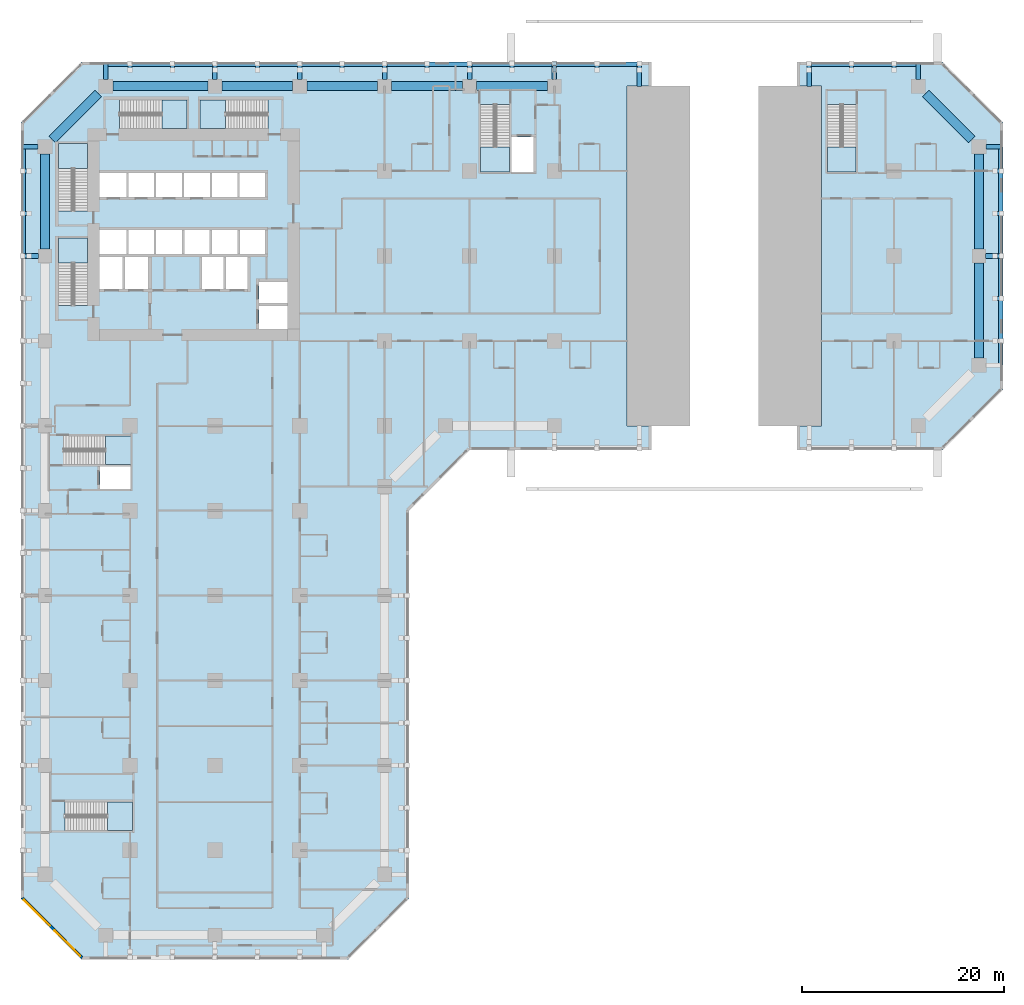
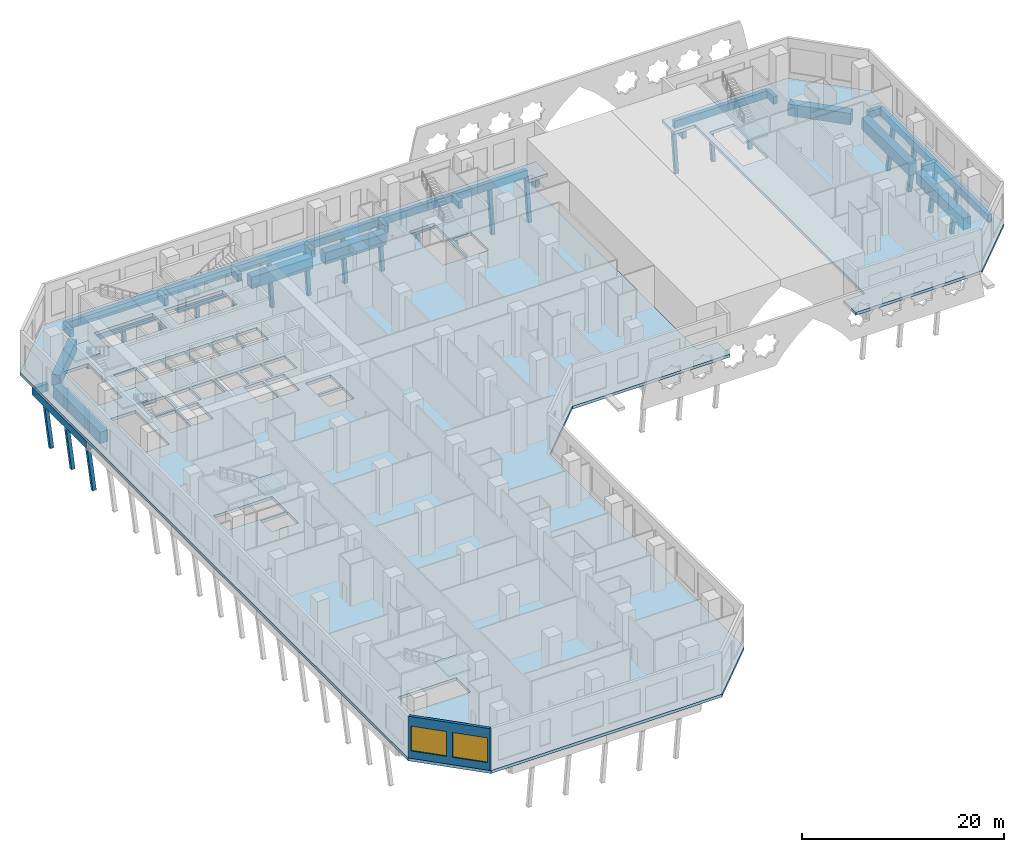
# One storey, part 2 of 24: 33 beams, 23 members, 10 slabs, 2 windows, 1 wall, 2 openings, 8 elements without a shape of their own.
"""IFC4 building model written with IfcOpenShell, lengths in metres."""

from ifc_helpers import new_model, si_unit, direction, frame, frame_2d, origin, origin_2d, place, context, subcontext, project, spatial, polyline, rectangle, hollow_rectangle, outline, extrude, material, layer, layer_set, material_profile, profile_set, type_object, element, fill, aggregate, save


model = new_model("IFC4")

# Units and contexts
model_context = context("Model", 3, precision=1e-05, world=origin(), true_north=direction((0.0, 1.0)))
body_context = subcontext(model_context, "Body", "Model", "MODEL_VIEW")
ifc_project = project(units=[si_unit("LENGTHUNIT", "METRE"), si_unit("AREAUNIT", "SQUARE_METRE"), si_unit("VOLUMEUNIT", "CUBIC_METRE"), si_unit("PLANEANGLEUNIT", "RADIAN"), si_unit("MASSUNIT", "GRAM", prefix="KILO")], contexts=[model_context])

# Site, building, storey
site_placement = place(None, origin())
site = spatial("IfcSite", under=ifc_project, at=site_placement, CompositionType="ELEMENT")
building_placement = place(site_placement, origin())
building = spatial("IfcBuilding", under=site, at=building_placement, Name="Kawkab Arch Medical Tower", CompositionType="ELEMENT")
storey_placement = place(building_placement, frame((0.0, 0.0, 18.199951171875)))
storey = spatial("IfcBuildingStorey", under=building, at=storey_placement, Name="L04", CompositionType="ELEMENT", Elevation=18.199951171875)

# Beams
ifc_material_1 = material(Name="Concrete C60/75", Category="concrete")
ifc_material_profile_1 = material_profile(ifc_material_1, rectangle(XDim=0.449951171875, YDim=0.89990234375, at=origin_2d()), Name="RC 450x900")
ifc_profile_set_1 = profile_set([ifc_material_profile_1], Name="Concrete C60/75")
beam_type_1 = type_object("IfcBeamType", Name="Podium edge beam RC 450x900 C60/75", PredefinedType="BEAM", material=ifc_profile_set_1)
beam_1_placement = place(storey_placement, frame((58.800048828125, 2.175048828125, -0.800048828125), z_axis=(-1.0, 0.0, 0.0), x_axis=(0.0, -1.0, 0.0)))
element("IfcBeam", 1, at=beam_1_placement, inside=storey, type_object=beam_type_1, Name="Podium edge beam L04 R04.1", PredefinedType="BEAM", context=body_context, shape_type="SweptSolid", body=[
    extrude(rectangle(XDim=0.449951171875, YDim=0.89990234375, at=origin_2d()), origin(), (0.0, 0.0, 1.0), 8.400146484375),
])
for number, where, z_axis, x_axis, name in (
    (2, (50.39990234375, 2.175048828125, -0.800048828125), (-1.0, 0.0, 0.0), (0.0, -1.0, 0.0), "Podium edge beam L04 R04.2"),
    (3, (42.0, 2.175048828125, -0.800048828125), (-1.0, 0.0, 0.0), (0.0, -1.0, 0.0), "Podium edge beam L04 R04.3"),
):
    element("IfcBeam", number, at=place(storey_placement, frame(where, z_axis=z_axis, x_axis=x_axis)), inside=storey, type_object=beam_type_1, Name=name, PredefinedType="BEAM", context=body_context, shape_type="SweptSolid", body=[
        extrude(rectangle(XDim=0.449951171875, YDim=0.89990234375, at=origin_2d()), origin(), (0.0, 0.0, 1.0), 8.39990234375),
    ])
beam_2_placement = place(storey_placement, frame((33.60009765625, 2.175048828125, -0.800048828125), z_axis=(-1.0, 0.0, 0.0), x_axis=(0.0, -1.0, 0.0)))
element("IfcBeam", 4, at=beam_2_placement, inside=storey, type_object=beam_type_1, Name="Podium edge beam L04 R04.4", PredefinedType="BEAM", context=body_context, shape_type="SweptSolid", body=[
    extrude(rectangle(XDim=0.449951171875, YDim=0.89990234375, at=origin_2d()), origin(), (0.0, 0.0, 1.0), 8.400146484375),
])
beam_3_placement = place(storey_placement, frame((25.199951171875, 2.175048828125, -0.800048828125), z_axis=(-1.0, 0.0, 0.0), x_axis=(0.0, -1.0, 0.0)))
element("IfcBeam", 5, at=beam_3_placement, inside=storey, type_object=beam_type_1, Name="Podium edge beam L04 R04.5", PredefinedType="BEAM", context=body_context, shape_type="SweptSolid", body=[
    extrude(rectangle(XDim=0.449951171875, YDim=0.89990234375, at=origin_2d()), origin(), (0.0, 0.0, 1.0), 8.39990234375),
])
beam_4_placement = place(storey_placement, frame((16.800048828125, 2.175048828125, -0.800048828125), z_axis=(-1.0, 0.0, 0.0), x_axis=(0.0, -1.0, 0.0)))
element("IfcBeam", 6, at=beam_4_placement, inside=storey, type_object=beam_type_1, Name="Podium edge beam L04 R04.6", PredefinedType="BEAM", context=body_context, shape_type="SweptSolid", body=[
    extrude(rectangle(XDim=0.449951171875, YDim=0.89990234375, at=origin_2d()), origin(), (0.0, 0.0, 1.0), 10.800048828125),
])
beam_5_placement = place(storey_placement, frame((58.800048828125, -0.010009765625, -0.800048828125), z_axis=(0.0, 1.0, 0.0), x_axis=(-1.0, 0.0, 0.0)))
element("IfcBeam", 7, at=beam_5_placement, inside=storey, type_object=beam_type_1, Name="Podium cantilever beam L04 R04.1", PredefinedType="BEAM", context=body_context, shape_type="SweptSolid", body=[
    extrude(rectangle(XDim=0.449951171875, YDim=0.89990234375, at=origin_2d()), origin(), (0.0, 0.0, 1.0), 2.18505859375),
])
for number, where, z_axis, x_axis, name in (
    (8, (50.39990234375, 0.64990234375, -0.800048828125), (0.0, 1.0, 0.0), (-1.0, 0.0, 0.0), "Podium cantilever beam L04 R04.2"),
    (9, (42.0, 0.64990234375, -0.800048828125), (0.0, 1.0, 0.0), (-1.0, 0.0, 0.0), "Podium cantilever beam L04 R04.3"),
    (10, (33.60009765625, 0.64990234375, -0.800048828125), (0.0, 1.0, 0.0), (-1.0, 0.0, 0.0), "Podium cantilever beam L04 R04.4"),
    (11, (25.199951171875, 0.64990234375, -0.800048828125), (0.0, 1.0, 0.0), (-1.0, 0.0, 0.0), "Podium cantilever beam L04 R04.5"),
    (12, (16.800048828125, 0.64990234375, -0.800048828125), (0.0, 1.0, 0.0), (-1.0, 0.0, 0.0), "Podium cantilever beam L04 R04.6"),
):
    element("IfcBeam", number, at=place(storey_placement, frame(where, z_axis=z_axis, x_axis=x_axis)), inside=storey, type_object=beam_type_1, Name=name, PredefinedType="BEAM", context=body_context, shape_type="SweptSolid", body=[
        extrude(rectangle(XDim=0.449951171875, YDim=0.89990234375, at=origin_2d()), origin(), (0.0, 0.0, 1.0), 1.525146484375),
    ])
beam_6_placement = place(storey_placement, frame((6.0, 0.675048828125, -0.800048828125), z_axis=(0.0, 1.0, 0.0), x_axis=(-1.0, 0.0, 0.0)))
element("IfcBeam", 13, at=beam_6_placement, inside=storey, type_object=beam_type_1, Name="Podium cantilever beam L04 R04.7", PredefinedType="BEAM", context=body_context, shape_type="SweptSolid", body=[
    extrude(rectangle(XDim=0.449951171875, YDim=0.89990234375, at=origin_2d()), origin(), (0.0, 0.0, 1.0), 1.5),
])
beam_7_placement = place(storey_placement, frame((-2.175048828125, -6.0, -0.800048828125), z_axis=(0.0, -1.0, 0.0), x_axis=(1.0, 0.0, 0.0)))
element("IfcBeam", 14, at=beam_7_placement, inside=storey, type_object=beam_type_1, Name="Podium edge beam L04 R06.1", PredefinedType="BEAM", context=body_context, shape_type="SweptSolid", body=[
    extrude(rectangle(XDim=0.449951171875, YDim=0.89990234375, at=origin_2d()), origin(), (0.0, 0.0, 1.0), 10.800048828125),
])
beam_8_placement = place(storey_placement, frame((-0.675048828125, -6.0, -0.800048828125), z_axis=(-1.0, 0.0, 0.0), x_axis=(0.0, -1.0, 0.0)))
element("IfcBeam", 15, at=beam_8_placement, inside=storey, type_object=beam_type_1, Name="Podium cantilever beam L04 R06.1", PredefinedType="BEAM", context=body_context, shape_type="SweptSolid", body=[
    extrude(rectangle(XDim=0.449951171875, YDim=0.89990234375, at=origin_2d()), origin(), (0.0, 0.0, 1.0), 1.5),
])
beam_9_placement = place(storey_placement, frame((-0.64990234375, -16.800048828125, -0.800048828125), z_axis=(-1.0, 0.0, 0.0), x_axis=(0.0, -1.0, 0.0)))
element("IfcBeam", 16, at=beam_9_placement, inside=storey, type_object=beam_type_1, Name="Podium cantilever beam L04 R06.2", PredefinedType="BEAM", context=body_context, shape_type="SweptSolid", body=[
    extrude(rectangle(XDim=0.449951171875, YDim=0.89990234375, at=origin_2d()), origin(), (0.0, 0.0, 1.0), 1.525146484375),
])
beam_10_placement = place(storey_placement, frame((86.39990234375, 2.175048828125, -0.800048828125), z_axis=(-1.0, 0.0, 0.0), x_axis=(0.0, -1.0, 0.0)))
element("IfcBeam", 17, at=beam_10_placement, inside=storey, type_object=beam_type_1, Name="Podium edge beam L04 R12.1", PredefinedType="BEAM", context=body_context, shape_type="SweptSolid", body=[
    extrude(rectangle(XDim=0.449951171875, YDim=0.89990234375, at=origin_2d()), origin(), (0.0, 0.0, 1.0), 10.7998046875),
])
beam_11_placement = place(storey_placement, frame((86.39990234375, 0.675048828125, -0.800048828125), z_axis=(0.0, 1.0, 0.0), x_axis=(-1.0, 0.0, 0.0)))
element("IfcBeam", 18, at=beam_11_placement, inside=storey, type_object=beam_type_1, Name="Podium cantilever beam L04 R12.1", PredefinedType="BEAM", context=body_context, shape_type="SweptSolid", body=[
    extrude(rectangle(XDim=0.449951171875, YDim=0.89990234375, at=origin_2d()), origin(), (0.0, 0.0, 1.0), 1.5),
])
beam_12_placement = place(storey_placement, frame((75.60009765625, -0.010009765625, -0.800048828125), z_axis=(0.0, 1.0, 0.0), x_axis=(-1.0, 0.0, 0.0)))
element("IfcBeam", 19, at=beam_12_placement, inside=storey, type_object=beam_type_1, Name="Podium cantilever beam L04 R12.2", PredefinedType="BEAM", context=body_context, shape_type="SweptSolid", body=[
    extrude(rectangle(XDim=0.449951171875, YDim=0.89990234375, at=origin_2d()), origin(), (0.0, 0.0, 1.0), 2.18505859375),
])
for number, where, z_axis, x_axis, name in (
    (20, (94.574951171875, -27.60009765625, -0.800048828125), (0.0, 1.0, 0.0), (-1.0, 0.0, 0.0), "Podium edge beam L04 R16.1"),
    (21, (94.574951171875, -16.800048828125, -0.800048828125), (0.0, 1.0, 0.0), (-1.0, 0.0, 0.0), "Podium edge beam L04 R16.2"),
):
    element("IfcBeam", number, at=place(storey_placement, frame(where, z_axis=z_axis, x_axis=x_axis)), inside=storey, type_object=beam_type_1, Name=name, PredefinedType="BEAM", context=body_context, shape_type="SweptSolid", body=[
        extrude(rectangle(XDim=0.449951171875, YDim=0.89990234375, at=origin_2d()), origin(), (0.0, 0.0, 1.0), 10.800048828125),
    ])
beam_13_placement = place(storey_placement, frame((93.050048828125, -16.800048828125, -0.800048828125), z_axis=(1.0, 0.0, 0.0), x_axis=(0.0, 1.0, 0.0)))
element("IfcBeam", 22, at=beam_13_placement, inside=storey, type_object=beam_type_1, Name="Podium cantilever beam L04 R16.2", PredefinedType="BEAM", context=body_context, shape_type="SweptSolid", body=[
    extrude(rectangle(XDim=0.449951171875, YDim=0.89990234375, at=origin_2d()), origin(), (0.0, 0.0, 1.0), 1.52490234375),
])
beam_14_placement = place(storey_placement, frame((93.074951171875, -6.0, -0.800048828125), z_axis=(1.0, 0.0, 0.0), x_axis=(0.0, 1.0, 0.0)))
element("IfcBeam", 23, at=beam_14_placement, inside=storey, type_object=beam_type_1, Name="Podium cantilever beam L04 R16.3", PredefinedType="BEAM", context=body_context, shape_type="SweptSolid", body=[
    extrude(rectangle(XDim=0.449951171875, YDim=0.89990234375, at=origin_2d()), origin(), (0.0, 0.0, 1.0), 1.5),
])

# Members
ifc_material_2 = material(Name="Steel S355", Category="steel")
ifc_material_profile_2 = material_profile(ifc_material_2, hollow_rectangle(XDim=0.39990234375, YDim=0.39990234375, WallThickness=0.01611328125, at=origin_2d()), Name="SHS 400x400x16")
ifc_profile_set_2 = profile_set([ifc_material_profile_2], Name="Steel S355")
member_type = type_object("IfcMemberType", Name="Podium raking strut SHS 400x400x16", PredefinedType="STRUT", material=ifc_profile_set_2)
for number, where, z_axis, x_axis, name in (
    (24, (8.39990234375, 1.602294921875, -6.380126953125), (0.0, 0.121770008872, 0.992558343343), (-1.0, 0.0, 0.0), "Raking strut L04 4"),
    (25, (12.60009765625, 1.602294921875, -6.380126953125), (0.0, 0.121770008872, 0.992558343343), (-1.0, 0.0, 0.0), "Raking strut L04 5"),
    (26, (16.800048828125, 1.602294921875, -6.380126953125), (0.0, 0.121770008872, 0.992558343343), (-1.0, 0.0, 0.0), "Raking strut L04 6"),
    (27, (21.0, 1.602294921875, -6.380126953125), (0.0, 0.121770008872, 0.992558343343), (-1.0, 0.0, 0.0), "Raking strut L04 7"),
    (28, (25.199951171875, 1.602294921875, -6.380126953125), (0.0, 0.121770008872, 0.992558343343), (-1.0, 0.0, 0.0), "Raking strut L04 8"),
    (29, (29.39990234375, 1.602294921875, -6.380126953125), (0.0, 0.121770008872, 0.992558343343), (-1.0, 0.0, 0.0), "Raking strut L04 9"),
    (30, (33.60009765625, 1.602294921875, -6.380126953125), (0.0, 0.121770008872, 0.992558343343), (-1.0, 0.0, 0.0), "Raking strut L04 10"),
    (31, (37.800048828125, 1.602294921875, -6.380126953125), (0.0, 0.121770008872, 0.992558343343), (-1.0, 0.0, 0.0), "Raking strut L04 11"),
    (32, (42.0, 1.602294921875, -6.380126953125), (0.0, 0.121770008872, 0.992558343343), (-1.0, 0.0, 0.0), "Raking strut L04 12"),
    (33, (46.199951171875, 1.602294921875, -6.380126953125), (0.0, 0.121770008872, 0.992558343343), (-1.0, 0.0, 0.0), "Raking strut L04 13"),
    (34, (50.39990234375, 1.602294921875, -6.380126953125), (0.0, 0.121770008872, 0.992558343343), (-1.0, 0.0, 0.0), "Raking strut L04 14"),
    (35, (54.60009765625, 1.602294921875, -6.380126953125), (0.0, 0.121770008872, 0.992558343343), (-1.0, 0.0, 0.0), "Raking strut L04 15"),
    (36, (58.800048828125, 1.602294921875, -6.380126953125), (0.0, 0.121770008872, 0.992558343343), (-1.0, 0.0, 0.0), "Raking strut L04 16"),
    (37, (-1.602294921875, -8.39990234375, -6.380126953125), (-0.121770008872, 0.0, 0.992558343343), (0.0, -1.0, 0.0), "Raking strut L04 17"),
    (38, (-1.602294921875, -12.60009765625, -6.380126953125), (-0.121770008872, 0.0, 0.992558343343), (0.0, -1.0, 0.0), "Raking strut L04 18"),
    (39, (-1.602294921875, -16.800048828125, -6.380126953125), (-0.121770008872, 0.0, 0.992558343343), (0.0, -1.0, 0.0), "Raking strut L04 19"),
    (40, (75.60009765625, 1.602294921875, -6.380126953125), (0.0, 0.121770008872, 0.992558343343), (-1.0, 0.0, 0.0), "Raking strut L04 46"),
    (41, (79.800048828125, 1.602294921875, -6.380126953125), (0.0, 0.121770008872, 0.992558343343), (-1.0, 0.0, 0.0), "Raking strut L04 47"),
    (42, (84.0, 1.602294921875, -6.380126953125), (0.0, 0.121770008872, 0.992558343343), (-1.0, 0.0, 0.0), "Raking strut L04 48"),
    (43, (94.00244140625, -8.39990234375, -6.380126953125), (0.121723293354, 0.0, 0.992564073426), (0.0, 1.0, 0.0), "Raking strut L04 52"),
    (44, (94.00244140625, -12.60009765625, -6.380126953125), (0.121723293354, 0.0, 0.992564073426), (0.0, 1.0, 0.0), "Raking strut L04 53"),
    (45, (94.00244140625, -16.800048828125, -6.380126953125), (0.121723293354, 0.0, 0.992564073426), (0.0, 1.0, 0.0), "Raking strut L04 54"),
    (46, (94.00244140625, -21.0, -6.380126953125), (0.121723293354, 0.0, 0.992564073426), (0.0, 1.0, 0.0), "Raking strut L04 55"),
):
    element("IfcMember", number, at=place(storey_placement, frame(where, z_axis=z_axis, x_axis=x_axis)), inside=storey, type_object=member_type, Name=name, PredefinedType="STRUT", context=body_context, shape_type="SweptSolid", body=[
        extrude(hollow_rectangle(XDim=0.39990234375, YDim=0.39990234375, WallThickness=0.01611328125, at=origin_2d()), origin(), (0.0, 0.0, 1.0), 5.148681640625),
    ])

# Beams
ifc_material_3 = material(Name="Concrete C60/75", Category="concrete")
ifc_material_profile_3 = material_profile(ifc_material_3, rectangle(XDim=0.89990234375, YDim=1.39990234375, at=origin_2d()), Name="RC 900x1400")
ifc_profile_set_3 = profile_set([ifc_material_profile_3], Name="Concrete C60/75")
beam_type_2 = type_object("IfcBeamType", Name="RC 900x1400 beam C60/75", PredefinedType="BEAM", material=ifc_profile_set_3)
for number, where, z_axis, x_axis, name in (
    (47, (0.0, -6.72509765625, -1.050048828125), (0.0, -1.0, 0.0), (1.0, 0.0, 0.0), "Podium edge beam L04-01"),
    (48, (92.39990234375, -26.875, -1.050048828125), (0.0, 1.0, 0.0), (-1.0, 0.0, 0.0), "Podium edge beam L04-20"),
    (49, (92.39990234375, -16.10009765625, -1.050048828125), (0.0, 1.0, 0.0), (-1.0, 0.0, 0.0), "Podium edge beam L04-21"),
):
    element("IfcBeam", number, at=place(storey_placement, frame(where, z_axis=z_axis, x_axis=x_axis)), inside=storey, type_object=beam_type_2, Name=name, PredefinedType="BEAM", context=body_context, shape_type="SweptSolid", body=[
        extrude(rectangle(XDim=0.89990234375, YDim=1.39990234375, at=origin_2d()), origin(), (0.0, 0.0, 1.0), 9.375),
    ])
beam_15_placement = place(storey_placement, frame((91.675048828125, -5.27490234375, -1.050048828125), z_axis=(-0.707125751951, 0.707087809913, 0.0), x_axis=(-0.707087809913, -0.707125751951, 0.0)))
element("IfcBeam", 50, at=beam_15_placement, inside=storey, type_object=beam_type_2, Name="Podium edge beam L04-22", PredefinedType="BEAM", context=body_context, shape_type="SweptSolid", body=[
    extrude(rectangle(XDim=0.89990234375, YDim=1.39990234375, at=origin_2d()), origin(), (0.0, 0.0, 1.0), 6.4345703125),
])
for number, where, z_axis, x_axis, name in (
    (51, (49.699951171875, 0.0, -1.050048828125), (-1.0, 0.0, 0.0), (0.0, -1.0, 0.0), "Podium edge beam L04-23"),
    (52, (41.300048828125, 0.0, -1.050048828125), (-1.0, 0.0, 0.0), (0.0, -1.0, 0.0), "Podium edge beam L04-24"),
    (53, (32.89990234375, 0.0, -1.050048828125), (-1.0, 0.0, 0.0), (0.0, -1.0, 0.0), "Podium edge beam L04-25"),
    (54, (24.5, 0.0, -1.050048828125), (-1.0, 0.0, 0.0), (0.0, -1.0, 0.0), "Podium edge beam L04-26"),
):
    element("IfcBeam", number, at=place(storey_placement, frame(where, z_axis=z_axis, x_axis=x_axis)), inside=storey, type_object=beam_type_2, Name=name, PredefinedType="BEAM", context=body_context, shape_type="SweptSolid", body=[
        extrude(rectangle(XDim=0.89990234375, YDim=1.39990234375, at=origin_2d()), origin(), (0.0, 0.0, 1.0), 7.0),
    ])
beam_16_placement = place(storey_placement, frame((16.10009765625, 0.0, -1.050048828125), z_axis=(-1.0, 0.0, 0.0), x_axis=(0.0, -1.0, 0.0)))
element("IfcBeam", 55, at=beam_16_placement, inside=storey, type_object=beam_type_2, Name="Podium edge beam L04-27", PredefinedType="BEAM", context=body_context, shape_type="SweptSolid", body=[
    extrude(rectangle(XDim=0.89990234375, YDim=1.39990234375, at=origin_2d()), origin(), (0.0, 0.0, 1.0), 9.375),
])
beam_17_placement = place(storey_placement, frame((5.27490234375, -0.72509765625, -1.050048828125), z_axis=(-0.707106781187, -0.707106781187, 0.0), x_axis=(0.707106781187, -0.707106781187, 0.0)))
element("IfcBeam", 56, at=beam_17_placement, inside=storey, type_object=beam_type_2, Name="Podium edge beam L04-28", PredefinedType="BEAM", context=body_context, shape_type="SweptSolid", body=[
    extrude(rectangle(XDim=0.89990234375, YDim=1.39990234375, at=origin_2d()), origin(), (0.0, 0.0, 1.0), 6.434326171875),
])

# Stair, slab
ifc_material_4 = material(Name="Concrete C40/50", Category="concrete")
stair_type = type_object("IfcStairType", Name="Exit stair 1350", PredefinedType="HALF_TURN_STAIR", material=ifc_material_4)
placement_1 = place(storey_placement, origin())
stair_1 = element("IfcStair", 57, at=placement_1, inside=storey, type_object=stair_type, Name="L04 Exit stair ST1", PredefinedType="HALF_TURN_STAIR")
ifc_material_5 = material(Name="Concrete C40/50", Category="concrete")
ifc_layer_1 = layer(ifc_material_5, 0.199951171875)
ifc_layer_set_1 = layer_set([ifc_layer_1], Name="Concrete C40/50")
slab_type_1 = type_object("IfcSlabType", Name="Exit stair landing 200", PredefinedType="LANDING", material=ifc_layer_set_1)
placement_2 = place(storey_placement, frame((0.0, 0.0, 2.60009765625)))
slab_1 = element("IfcSlab", 58, at=placement_2, type_object=slab_type_1, Name="ST1 landing 1", PredefinedType="LANDING", context=body_context, shape_type="SweptSolid", body=[
    extrude(outline(polyline([(4.199951171875, -8.14990234375), (4.199951171875, -5.64990234375), (1.35009765625, -5.64990234375), (1.35009765625, -8.14990234375), (4.199951171875, -8.14990234375)])), origin(), (0.0, 0.0, 1.0), 0.199951171875),
])
aggregate(stair_1, [slab_1])

stair_2 = element("IfcStair", 59, at=placement_1, inside=storey, type_object=stair_type, Name="L04 Exit stair ST10", PredefinedType="HALF_TURN_STAIR")
slab_2 = element("IfcSlab", 60, at=placement_2, type_object=slab_type_1, Name="ST10 landing 1", PredefinedType="LANDING", context=body_context, shape_type="SweptSolid", body=[
    extrude(outline(polyline([(6.175048828125, -73.64990234375), (8.675048828125, -73.64990234375), (8.675048828125, -70.800048828125), (6.175048828125, -70.800048828125), (6.175048828125, -73.64990234375)])), origin(), (0.0, 0.0, 1.0), 0.199951171875),
])
aggregate(stair_2, [slab_2])

stair_3 = element("IfcStair", 61, at=placement_1, inside=storey, type_object=stair_type, Name="L04 Exit stair ST2", PredefinedType="HALF_TURN_STAIR")
slab_3 = element("IfcSlab", 62, at=placement_2, type_object=slab_type_1, Name="ST2 landing 1", PredefinedType="LANDING", context=body_context, shape_type="SweptSolid", body=[
    extrude(outline(polyline([(4.199951171875, -17.5), (4.199951171875, -15.0), (1.35009765625, -15.0), (1.35009765625, -17.5), (4.199951171875, -17.5)])), origin(), (0.0, 0.0, 1.0), 0.199951171875),
])
aggregate(stair_3, [slab_3])

stair_4 = element("IfcStair", 63, at=placement_1, inside=storey, type_object=stair_type, Name="L04 Exit stair ST3", PredefinedType="HALF_TURN_STAIR")
slab_4 = element("IfcSlab", 64, at=placement_2, type_object=slab_type_1, Name="ST3 landing 1", PredefinedType="LANDING", context=body_context, shape_type="SweptSolid", body=[
    extrude(outline(polyline([(11.550048828125, -4.199951171875), (14.050048828125, -4.199951171875), (14.050048828125, -1.35009765625), (11.550048828125, -1.35009765625), (11.550048828125, -4.199951171875)])), origin(), (0.0, 0.0, 1.0), 0.199951171875),
])
aggregate(stair_4, [slab_4])

stair_5 = element("IfcStair", 65, at=placement_1, inside=storey, type_object=stair_type, Name="L04 Exit stair ST4", PredefinedType="HALF_TURN_STAIR")
slab_5 = element("IfcSlab", 66, at=placement_2, type_object=slab_type_1, Name="ST4 landing 1", PredefinedType="LANDING", context=body_context, shape_type="SweptSolid", body=[
    extrude(outline(polyline([(17.85009765625, -1.35009765625), (15.35009765625, -1.35009765625), (15.35009765625, -4.199951171875), (17.85009765625, -4.199951171875), (17.85009765625, -1.35009765625)])), origin(), (0.0, 0.0, 1.0), 0.199951171875),
])
aggregate(stair_5, [slab_5])

stair_6 = element("IfcStair", 67, at=placement_1, inside=storey, type_object=stair_type, Name="L04 Exit stair ST5", PredefinedType="HALF_TURN_STAIR")
slab_6 = element("IfcSlab", 68, at=placement_2, type_object=slab_type_1, Name="ST5 landing 1", PredefinedType="LANDING", context=body_context, shape_type="SweptSolid", body=[
    extrude(outline(polyline([(43.10009765625, -6.0), (43.10009765625, -8.5), (45.949951171875, -8.5), (45.949951171875, -6.0), (43.10009765625, -6.0)])), origin(), (0.0, 0.0, 1.0), 0.199951171875),
])
aggregate(stair_6, [slab_6])

stair_7 = element("IfcStair", 69, at=placement_1, inside=storey, type_object=stair_type, Name="L04 Exit stair ST6", PredefinedType="HALF_TURN_STAIR")
slab_7 = element("IfcSlab", 70, at=placement_2, type_object=slab_type_1, Name="ST6 landing 1", PredefinedType="LANDING", context=body_context, shape_type="SweptSolid", body=[
    extrude(outline(polyline([(6.0, -37.449951171875), (8.5, -37.449951171875), (8.5, -34.60009765625), (6.0, -34.60009765625), (6.0, -37.449951171875)])), origin(), (0.0, 0.0, 1.0), 0.199951171875),
])
aggregate(stair_7, [slab_7])

stair_8 = element("IfcStair", 71, at=placement_1, inside=storey, type_object=stair_type, Name="L04 Exit stair ST7", PredefinedType="HALF_TURN_STAIR")
slab_8 = element("IfcSlab", 72, at=placement_2, type_object=slab_type_1, Name="ST7 landing 1", PredefinedType="LANDING", context=body_context, shape_type="SweptSolid", body=[
    extrude(outline(polyline([(77.39990234375, -6.0), (77.39990234375, -8.5), (80.25, -8.5), (80.25, -6.0), (77.39990234375, -6.0)])), origin(), (0.0, 0.0, 1.0), 0.199951171875),
])
aggregate(stair_8, [slab_8])

# Slabs
ifc_material_6 = material(Name="Concrete C40/50", Category="concrete")
ifc_layer_2 = layer(ifc_material_6, 0.35009765625)
ifc_layer_set_2 = layer_set([ifc_layer_2], Name="Concrete C40/50")
slab_type_2 = type_object("IfcSlabType", Name="Flat plate 350 C40/50", PredefinedType="FLOOR", material=ifc_layer_set_2)
placement_3 = place(storey_placement, frame((0.0, 0.0, -0.349853515625)))
element("IfcSlab", 73, at=placement_3, inside=storey, type_object=slab_type_2, Name="Floor slab L04", PredefinedType="FLOOR", context=body_context, shape_type="SweptSolid", body=[
    extrude(outline(polyline([(30.0, -86.39990234375), (3.60009765625, -86.39990234375), (-2.39990234375, -80.39990234375), (-2.39990234375, -3.60009765625), (3.60009765625, 2.39990234375), (60.0, 2.39990234375), (60.0, 0.0), (57.60009765625, 0.0), (57.60009765625, -33.60009765625), (60.0, -33.60009765625), (60.0, -36.0), (42.0, -36.0), (36.0, -42.0), (36.0, -80.39990234375), (30.0, -86.39990234375)]), holes=[polyline([(8.675048828125, -70.800048828125), (1.97509765625, -70.800048828125), (1.97509765625, -73.64990234375), (8.675048828125, -73.64990234375), (8.675048828125, -70.800048828125)]), polyline([(5.425048828125, -37.64990234375), (5.425048828125, -39.85009765625), (8.5, -39.85009765625), (8.5, -37.64990234375), (5.425048828125, -37.64990234375)]), polyline([(8.5, -37.449951171875), (8.5, -34.60009765625), (1.800048828125, -34.60009765625), (1.800048828125, -37.449951171875), (8.5, -37.449951171875)]), polyline([(5.39990234375, -20.050048828125), (7.675048828125, -20.050048828125), (7.675048828125, -16.89990234375), (5.39990234375, -16.89990234375), (5.39990234375, -20.050048828125)]), polyline([(10.199951171875, -16.89990234375), (7.925048828125, -16.89990234375), (7.925048828125, -20.050048828125), (10.199951171875, -20.050048828125), (10.199951171875, -16.89990234375)]), polyline([(4.199951171875, -15.0), (1.35009765625, -15.0), (1.35009765625, -21.699951171875), (4.199951171875, -21.699951171875), (4.199951171875, -15.0)]), polyline([(5.39990234375, -16.60009765625), (8.050048828125, -16.60009765625), (8.050048828125, -14.25), (5.39990234375, -14.25), (5.39990234375, -16.60009765625)]), polyline([(8.25, -14.25), (8.25, -16.60009765625), (10.800048828125, -16.60009765625), (10.800048828125, -14.25), (8.25, -14.25)]), polyline([(11.0, -16.60009765625), (13.52490234375, -16.60009765625), (13.52490234375, -14.25), (11.0, -14.25), (11.0, -16.60009765625)]), polyline([(5.39990234375, -10.949951171875), (8.050048828125, -10.949951171875), (8.050048828125, -8.60009765625), (5.39990234375, -8.60009765625), (5.39990234375, -10.949951171875)]), polyline([(8.25, -8.60009765625), (8.25, -10.949951171875), (10.800048828125, -10.949951171875), (10.800048828125, -8.60009765625), (8.25, -8.60009765625)]), polyline([(13.550048828125, -10.949951171875), (13.550048828125, -8.60009765625), (11.0, -8.60009765625), (11.0, -10.949951171875), (13.550048828125, -10.949951171875)]), polyline([(4.199951171875, -5.64990234375), (1.35009765625, -5.64990234375), (1.35009765625, -12.35009765625), (4.199951171875, -12.35009765625), (4.199951171875, -5.64990234375)]), polyline([(14.050048828125, -4.199951171875), (14.050048828125, -1.35009765625), (7.35009765625, -1.35009765625), (7.35009765625, -4.199951171875), (14.050048828125, -4.199951171875)]), polyline([(21.14990234375, -21.72509765625), (21.14990234375, -24.0), (24.0, -24.0), (24.0, -21.72509765625), (21.14990234375, -21.72509765625)]), polyline([(24.0, -19.35009765625), (21.14990234375, -19.35009765625), (21.14990234375, -21.47509765625), (24.0, -21.47509765625), (24.0, -19.35009765625)]), polyline([(15.52490234375, -20.050048828125), (17.675048828125, -20.050048828125), (17.675048828125, -16.89990234375), (15.52490234375, -16.89990234375), (15.52490234375, -20.050048828125)]), polyline([(17.925048828125, -20.050048828125), (20.050048828125, -20.050048828125), (20.050048828125, -16.89990234375), (17.925048828125, -16.89990234375), (17.925048828125, -20.050048828125)]), polyline([(13.77490234375, -14.25), (13.77490234375, -16.60009765625), (16.27490234375, -16.60009765625), (16.27490234375, -14.25), (13.77490234375, -14.25)]), polyline([(16.52490234375, -14.25), (16.52490234375, -16.60009765625), (19.02490234375, -16.60009765625), (19.02490234375, -14.25), (16.52490234375, -14.25)]), polyline([(19.27490234375, -16.60009765625), (21.75, -16.60009765625), (21.75, -14.25), (19.27490234375, -14.25), (19.27490234375, -16.60009765625)]), polyline([(16.300048828125, -10.949951171875), (16.300048828125, -8.60009765625), (13.75, -8.60009765625), (13.75, -10.949951171875), (16.300048828125, -10.949951171875)]), polyline([(16.5, -10.949951171875), (19.050048828125, -10.949951171875), (19.050048828125, -8.60009765625), (16.5, -8.60009765625), (16.5, -10.949951171875)]), polyline([(21.75, -10.949951171875), (21.75, -8.60009765625), (19.25, -8.60009765625), (19.25, -10.949951171875), (21.75, -10.949951171875)]), polyline([(46.14990234375, -8.5), (48.35009765625, -8.5), (48.35009765625, -5.02490234375), (46.14990234375, -5.02490234375), (46.14990234375, -8.5)]), polyline([(43.10009765625, -8.5), (45.949951171875, -8.5), (45.949951171875, -1.800048828125), (43.10009765625, -1.800048828125), (43.10009765625, -8.5)]), polyline([(15.35009765625, -1.35009765625), (15.35009765625, -4.199951171875), (22.050048828125, -4.199951171875), (22.050048828125, -1.35009765625), (15.35009765625, -1.35009765625)])]), origin(), (0.0, 0.0, 1.0), 0.349853515625),
])
element("IfcSlab", 74, at=placement_3, inside=storey, type_object=slab_type_2, Name="Floor slab L04 part 2", PredefinedType="FLOOR", context=body_context, shape_type="SweptSolid", body=[
    extrude(outline(polyline([(88.800048828125, -36.0), (74.39990234375, -36.0), (74.39990234375, -33.60009765625), (76.800048828125, -33.60009765625), (76.800048828125, 0.0), (74.39990234375, 0.0), (74.39990234375, 2.39990234375), (88.800048828125, 2.39990234375), (94.800048828125, -3.60009765625), (94.800048828125, -30.0), (88.800048828125, -36.0)]), holes=[polyline([(77.39990234375, -8.5), (80.25, -8.5), (80.25, -1.800048828125), (77.39990234375, -1.800048828125), (77.39990234375, -8.5)])]), origin(), (0.0, 0.0, 1.0), 0.349853515625),
])

# Wall, openings, windows
ifc_material_7 = material(Name="Bronze clad insulated wall panel")
ifc_layer_3 = layer(ifc_material_7, 0.300048828125)
ifc_layer_set_3 = layer_set([ifc_layer_3], Name="Bronze clad insulated wall panel")
wall_type = type_object("IfcWallType", Name="Podium external wall 300", PredefinedType="SOLIDWALL", material=ifc_layer_set_3)
wall_placement = place(storey_placement, frame((-2.25, -80.337890625, 0.0), z_axis=(0.0, 0.0, 1.0), x_axis=(0.707106781187, -0.707106781187, 0.0)))
wall = element("IfcWall", 75, at=wall_placement, inside=storey, type_object=wall_type, Name="Podium external wall L04 R08", PredefinedType="SOLIDWALL", context=body_context, shape_type="SweptSolid", body=[
    extrude(rectangle(XDim=8.361083984375, YDim=0.300048828125, at=frame_2d((4.1806640625, 0.0))), origin(), (0.0, 0.0, 1.0), 5.050048828125),
])
opening_1_placement = place(wall_placement, frame((0.259033203125, 0.0, 0.89990234375)))
opening_1 = element("IfcOpeningElement", 76, at=opening_1_placement, cuts=wall, Name="Opening PBW360-30-S9", PredefinedType="OPENING", context=body_context, shape_type="SweptSolid", body=[
    extrude(rectangle(XDim=3.60009765625, YDim=3.0, at=frame_2d((1.800048828125, 1.5))), frame((0.0, 0.159912109375, 0.0), z_axis=(0.0, -1.0, 0.0), x_axis=(1.0, 0.0, 0.0)), (0.0, 0.0, 1.0), 0.320068359375),
])
opening_2_placement = place(wall_placement, frame((4.501708984375, 0.0, 0.89990234375)))
opening_2 = element("IfcOpeningElement", 77, at=opening_2_placement, cuts=wall, Name="Opening PBW360-30-S9", PredefinedType="OPENING", context=body_context, shape_type="SweptSolid", body=[
    extrude(rectangle(XDim=3.60009765625, YDim=3.0, at=frame_2d((1.800048828125, 1.5))), frame((0.0, 0.159912109375, 0.0), z_axis=(0.0, -1.0, 0.0), x_axis=(1.0, 0.0, 0.0)), (0.0, 0.0, 1.0), 0.320068359375),
])
ifc_material_8 = material(Name="Bronze anodised aluminium louvred window", Category="aluminium")
window_type = type_object("IfcWindowType", Name="Podium band window 3600 x 3000 sill 900", PartitioningType="DOUBLE_PANEL_VERTICAL", PredefinedType="WINDOW", material=ifc_material_8)
window_1_placement = place(opening_1_placement, origin())
window_1 = element("IfcWindow", 78, at=window_1_placement, inside=storey, type_object=window_type, Name="Band window L04 R08.1", OverallHeight=3.0, OverallWidth=3.60009765625, PartitioningType="SINGLE_PANEL", PredefinedType="WINDOW", context=body_context, shape_type="SweptSolid", body=[
    extrude(rectangle(XDim=3.60009765625, YDim=3.0, at=frame_2d((1.800048828125, 1.5))), frame((0.0, 0.030029296875, 0.0), z_axis=(0.0, -1.0, 0.0), x_axis=(1.0, 0.0, 0.0)), (0.0, 0.0, 1.0), 0.06005859375),
])
fill(opening_1, window_1)
window_2_placement = place(opening_2_placement, origin())
window_2 = element("IfcWindow", 79, at=window_2_placement, inside=storey, type_object=window_type, Name="Band window L04 R08.2", OverallHeight=3.0, OverallWidth=3.60009765625, PartitioningType="SINGLE_PANEL", PredefinedType="WINDOW", context=body_context, shape_type="SweptSolid", body=[
    extrude(rectangle(XDim=3.60009765625, YDim=3.0, at=frame_2d((1.800048828125, 1.5))), frame((0.0, 0.030029296875, 0.0), z_axis=(0.0, -1.0, 0.0), x_axis=(1.0, 0.0, 0.0)), (0.0, 0.0, 1.0), 0.06005859375),
])
fill(opening_2, window_2)

save(model, "model.ifc")
